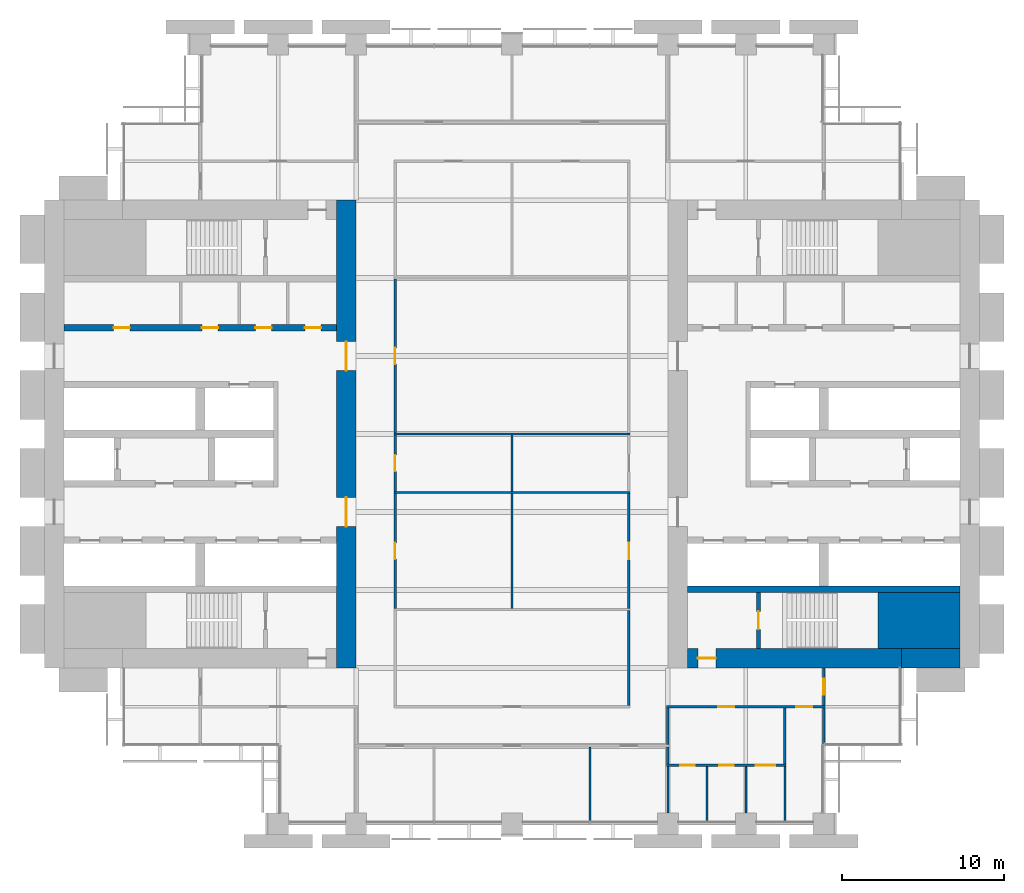
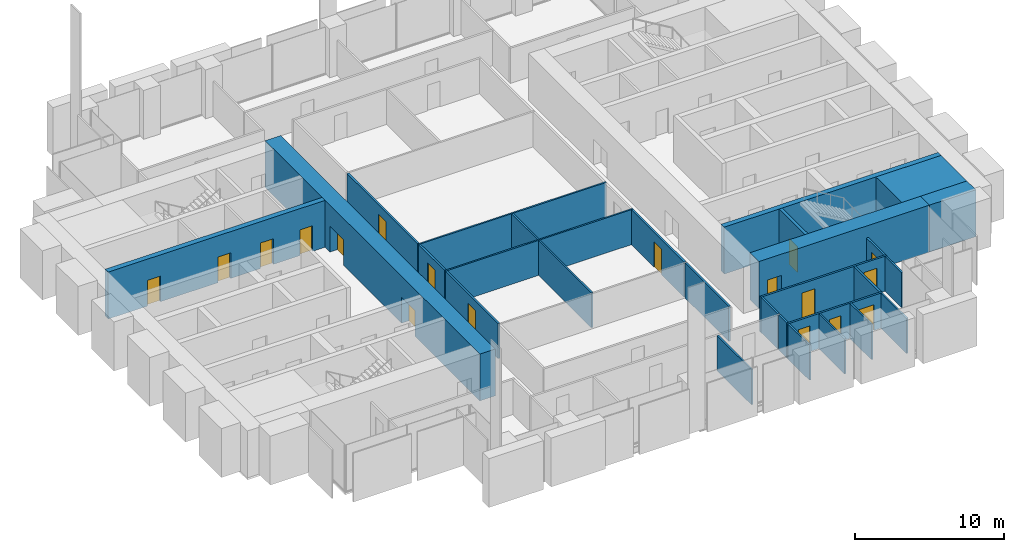
# One storey, part 10 of 14: 28 walls, 18 doors, 18 openings.
"""IFC4 building model written with IfcOpenShell, lengths in metres."""

from ifc_helpers import new_model, si_unit, direction, frame, frame_2d, origin, place, context, subcontext, project, spatial, rectangle, extrude, material, layer, layer_set, type_object, element, fill, save


model = new_model("IFC4")

# Units and contexts
model_context = context("Model", 3, precision=1e-05, world=origin(), true_north=direction((0.0, 1.0)))
body_context = subcontext(model_context, "Body", "Model", "MODEL_VIEW")
ifc_project = project(units=[si_unit("LENGTHUNIT", "METRE"), si_unit("AREAUNIT", "SQUARE_METRE"), si_unit("VOLUMEUNIT", "CUBIC_METRE"), si_unit("PLANEANGLEUNIT", "RADIAN"), si_unit("MASSUNIT", "GRAM", prefix="KILO")], contexts=[model_context])

# Site, building, storey
site_placement = place(None, origin())
site = spatial("IfcSite", under=ifc_project, at=site_placement, CompositionType="ELEMENT")
building_placement = place(site_placement, origin())
building = spatial("IfcBuilding", under=site, at=building_placement, Name="Baori Bourse Tower", CompositionType="ELEMENT")
storey_placement = place(building_placement, frame((0.0, 0.0, 51.0)))
storey = spatial("IfcBuildingStorey", under=building, at=storey_placement, Name="L10", CompositionType="ELEMENT", Elevation=51.0)

# Wall
ifc_material_1 = material(Name="Concrete f'c 70 MPa", Category="concrete")
wall_type_1 = type_object("IfcWallType", Name="Core corner block f'c 70", PredefinedType="SHEAR", material=ifc_material_1)
wall_1_placement = place(storey_placement, frame((51.35009765625, 12.52490234375, 0.0), z_axis=(0.0, 0.0, 1.0), x_axis=(1.0, 0.0, 0.0)))
element("IfcWall", 1, at=wall_1_placement, inside=storey, type_object=wall_type_1, Name="Core wall E05", PredefinedType="SHEAR", context=body_context, shape_type="SweptSolid", body=[
    extrude(rectangle(XDim=5.0498046875, YDim=3.449951171875, at=frame_2d((2.52490234375, 0.0))), origin(), (0.0, 0.0, 1.0), 3.840087890625),
])

# Wall, openings, doors
ifc_material_2 = material(Name="Concrete f'c 70 MPa", Category="concrete")
ifc_layer_1 = layer(ifc_material_2, 1.199951171875)
ifc_layer_set_1 = layer_set([ifc_layer_1], Name="Core wall 1200 f'c 70")
wall_type_2 = type_object("IfcWallType", Name="Core wall 1200 f'c 70", PredefinedType="SHEAR", material=ifc_layer_set_1)
wall_2_placement = place(storey_placement, frame((18.60009765625, 38.39990234375, 0.0), z_axis=(0.0, 0.0, 1.0), x_axis=(0.0, -1.0, 0.0)))
wall_2 = element("IfcWall", 2, at=wall_2_placement, inside=storey, type_object=wall_type_2, Name="Core wall W04", PredefinedType="SHEAR", context=body_context, shape_type="SweptSolid", body=[
    extrude(rectangle(XDim=28.7998046875, YDim=1.199951171875, at=frame_2d((14.39990234375, 0.0))), origin(), (0.0, 0.0, 1.0), 3.840087890625),
])
opening_1_placement = place(wall_2_placement, frame((18.300048828125, 0.0, 0.0)))
opening_1 = element("IfcOpeningElement", 3, at=opening_1_placement, cuts=wall_2, Name="Opening L10-D107", PredefinedType="OPENING", context=body_context, shape_type="SweptSolid", body=[
    extrude(rectangle(XDim=1.800048828125, YDim=2.10009765625, at=frame_2d((0.89990234375, 1.050048828125))), frame((0.0, 0.60986328125, 0.0), z_axis=(0.0, -1.0, 0.0), x_axis=(1.0, 0.0, 0.0)), (0.0, 0.0, 1.0), 1.219970703125),
])
opening_2_placement = place(wall_2_placement, frame((8.699951171875, 0.0, 0.0)))
opening_2 = element("IfcOpeningElement", 4, at=opening_2_placement, cuts=wall_2, Name="Opening L10-D108", PredefinedType="OPENING", context=body_context, shape_type="SweptSolid", body=[
    extrude(rectangle(XDim=1.800048828125, YDim=2.10009765625, at=frame_2d((0.89990234375, 1.050048828125))), frame((0.0, 0.60986328125, 0.0), z_axis=(0.0, -1.0, 0.0), x_axis=(1.0, 0.0, 0.0)), (0.0, 0.0, 1.0), 1.219970703125),
])
ifc_material_3 = material(Name="Painted steel door", Category="steel")
door_type_1 = type_object("IfcDoorType", Name="Core lobby door 1800", OperationType="DOUBLE_DOOR_SINGLE_SWING", PredefinedType="DOOR", material=ifc_material_3)
door_1_placement = place(opening_1_placement, origin())
door_1 = element("IfcDoor", 5, at=door_1_placement, inside=storey, type_object=door_type_1, Name="Lobby door W L10", OperationType="DOUBLE_DOOR_SINGLE_SWING", OverallHeight=2.10009765625, OverallWidth=1.800048828125, PredefinedType="DOOR", context=body_context, shape_type="SweptSolid", body=[
    extrude(rectangle(XDim=1.800048828125, YDim=2.10009765625, at=frame_2d((0.89990234375, 1.050048828125))), frame((0.0, 0.02490234375, 0.0), z_axis=(0.0, -1.0, 0.0), x_axis=(1.0, 0.0, 0.0)), (0.0, 0.0, 1.0), 0.050048828125),
])
fill(opening_1, door_1)
door_2_placement = place(opening_2_placement, origin())
door_2 = element("IfcDoor", 6, at=door_2_placement, inside=storey, type_object=door_type_1, Name="Lobby door W L10", OperationType="DOUBLE_DOOR_SINGLE_SWING", OverallHeight=2.10009765625, OverallWidth=1.800048828125, PredefinedType="DOOR", context=body_context, shape_type="SweptSolid", body=[
    extrude(rectangle(XDim=1.800048828125, YDim=2.10009765625, at=frame_2d((0.89990234375, 1.050048828125))), frame((0.0, 0.02490234375, 0.0), z_axis=(0.0, -1.0, 0.0), x_axis=(1.0, 0.0, 0.0)), (0.0, 0.0, 1.0), 0.050048828125),
])
fill(opening_2, door_2)

# Wall
wall_3_placement = place(storey_placement, frame((56.39990234375, 10.199951171875, 0.0), z_axis=(0.0, 0.0, 1.0), x_axis=(-1.0, 0.0, 0.0)))
element("IfcWall", 7, at=wall_3_placement, inside=storey, type_object=wall_type_2, Name="Core wall E02", PredefinedType="SHEAR", context=body_context, shape_type="SweptSolid", body=[
    extrude(rectangle(XDim=3.599853515625, YDim=1.199951171875, at=frame_2d((1.7998046875, 0.0))), origin(), (0.0, 0.0, 1.0), 3.840087890625),
])

# Wall, opening, door
wall_4_placement = place(storey_placement, frame((52.800048828125, 10.199951171875, 0.0), z_axis=(0.0, 0.0, 1.0), x_axis=(-1.0, 0.0, 0.0)))
wall_4 = element("IfcWall", 8, at=wall_4_placement, inside=storey, type_object=wall_type_2, Name="Core wall E03", PredefinedType="SHEAR", context=body_context, shape_type="SweptSolid", body=[
    extrude(rectangle(XDim=13.199951171875, YDim=1.199951171875, at=frame_2d((6.60009765625, 0.0))), origin(), (0.0, 0.0, 1.0), 3.840087890625),
])
opening_3_placement = place(wall_4_placement, frame((11.449951171875, 0.0, 0.0)))
opening_3 = element("IfcOpeningElement", 9, at=opening_3_placement, cuts=wall_4, Name="Opening L10-D202", PredefinedType="OPENING", context=body_context, shape_type="SweptSolid", body=[
    extrude(rectangle(XDim=1.10009765625, YDim=2.10009765625, at=frame_2d((0.550048828125, 1.050048828125))), frame((0.0, 0.60986328125, 0.0), z_axis=(0.0, -1.0, 0.0), x_axis=(1.0, 0.0, 0.0)), (0.0, 0.0, 1.0), 1.219970703125),
])
ifc_material_4 = material(Name="Painted steel door", Category="steel")
door_type_2 = type_object("IfcDoorType", Name="Stair door 1100", OperationType="SINGLE_SWING_LEFT", PredefinedType="DOOR", material=ifc_material_4)
door_3_placement = place(opening_3_placement, origin())
door_3 = element("IfcDoor", 10, at=door_3_placement, inside=storey, type_object=door_type_2, Name="Stair vestibule door A E L10", OperationType="SINGLE_SWING_LEFT", OverallHeight=2.10009765625, OverallWidth=1.10009765625, PredefinedType="DOOR", context=body_context, shape_type="SweptSolid", body=[
    extrude(rectangle(XDim=1.10009765625, YDim=2.10009765625, at=frame_2d((0.550048828125, 1.050048828125))), frame((0.0, 0.02490234375, 0.0), z_axis=(0.0, -1.0, 0.0), x_axis=(1.0, 0.0, 0.0)), (0.0, 0.0, 1.0), 0.050048828125),
])
fill(opening_3, door_3)

# Wall, openings, doors
ifc_material_5 = material(Name="Gypsum board partition")
ifc_layer_2 = layer(ifc_material_5, 0.14990234375)
ifc_layer_set_2 = layer_set([ifc_layer_2], Name="Corridor partition 150")
wall_type_3 = type_object("IfcWallType", Name="Corridor partition 150", PredefinedType="PARTITIONING", material=ifc_layer_set_2)
wall_5_placement = place(storey_placement, frame((38.324951171875, 3.60009765625, 0.0), z_axis=(0.0, 0.0, 1.0), x_axis=(1.0, 0.0, 0.0)))
wall_5 = element("IfcWall", 11, at=wall_5_placement, inside=storey, type_object=wall_type_3, Name="Partition", PredefinedType="PARTITIONING", context=body_context, shape_type="SweptSolid", body=[
    extrude(rectangle(XDim=7.35009765625, YDim=0.14990234375, at=frame_2d((3.675048828125, 0.0))), origin(), (0.0, 0.0, 1.0), 2.86962890625),
])
opening_4_placement = place(wall_5_placement, frame((0.824951171875, 0.0, 0.0)))
opening_4 = element("IfcOpeningElement", 12, at=opening_4_placement, cuts=wall_5, Name="Opening L10-D01", PredefinedType="OPENING", context=body_context, shape_type="SweptSolid", body=[
    extrude(rectangle(XDim=0.89990234375, YDim=2.10009765625, at=frame_2d((0.449951171875, 1.050048828125))), frame((0.0, 0.0849609375, 0.0), z_axis=(0.0, -1.0, 0.0), x_axis=(1.0, 0.0, 0.0)), (0.0, 0.0, 1.0), 0.169921875),
])
opening_5_placement = place(wall_5_placement, frame((3.22509765625, 0.0, 0.0)))
opening_5 = element("IfcOpeningElement", 13, at=opening_5_placement, cuts=wall_5, Name="Opening L10-D02", PredefinedType="OPENING", context=body_context, shape_type="SweptSolid", body=[
    extrude(rectangle(XDim=0.89990234375, YDim=2.10009765625, at=frame_2d((0.449951171875, 1.050048828125))), frame((0.0, 0.0849609375, 0.0), z_axis=(0.0, -1.0, 0.0), x_axis=(1.0, 0.0, 0.0)), (0.0, 0.0, 1.0), 0.169921875),
])
opening_6_placement = place(wall_5_placement, frame((5.47509765625, 0.0, 0.0)))
opening_6 = element("IfcOpeningElement", 14, at=opening_6_placement, cuts=wall_5, Name="Opening L10-D03", PredefinedType="OPENING", context=body_context, shape_type="SweptSolid", body=[
    extrude(rectangle(XDim=1.199951171875, YDim=2.10009765625, at=frame_2d((0.60009765625, 1.050048828125))), frame((0.0, 0.0849609375, 0.0), z_axis=(0.0, -1.0, 0.0), x_axis=(1.0, 0.0, 0.0)), (0.0, 0.0, 1.0), 0.169921875),
])
ifc_material_6 = material(Name="Timber door leaf", Category="wood")
door_type_3 = type_object("IfcDoorType", Name="Door 1200 x 2100", OperationType="SINGLE_SWING_LEFT", PredefinedType="DOOR", material=ifc_material_6)
door_4_placement = place(opening_6_placement, origin())
door_4 = element("IfcDoor", 15, at=door_4_placement, inside=storey, type_object=door_type_3, Name="Door", OperationType="SINGLE_SWING_RIGHT", OverallHeight=2.10009765625, OverallWidth=1.199951171875, PredefinedType="DOOR", context=body_context, shape_type="SweptSolid", body=[
    extrude(rectangle(XDim=1.199951171875, YDim=2.10009765625, at=frame_2d((0.60009765625, 1.050048828125))), frame((0.0, 0.02490234375, 0.0), z_axis=(0.0, -1.0, 0.0), x_axis=(1.0, 0.0, 0.0)), (0.0, 0.0, 1.0), 0.050048828125),
])
fill(opening_6, door_4)
ifc_material_7 = material(Name="Timber door leaf", Category="wood")
door_type_4 = type_object("IfcDoorType", Name="Door 900 x 2100", OperationType="SINGLE_SWING_LEFT", PredefinedType="DOOR", material=ifc_material_7)
door_5_placement = place(opening_4_placement, origin())
door_5 = element("IfcDoor", 16, at=door_5_placement, inside=storey, type_object=door_type_4, Name="Door", OperationType="SINGLE_SWING_LEFT", OverallHeight=2.10009765625, OverallWidth=0.89990234375, PredefinedType="DOOR", context=body_context, shape_type="SweptSolid", body=[
    extrude(rectangle(XDim=0.89990234375, YDim=2.10009765625, at=frame_2d((0.449951171875, 1.050048828125))), frame((0.0, 0.02490234375, 0.0), z_axis=(0.0, -1.0, 0.0), x_axis=(1.0, 0.0, 0.0)), (0.0, 0.0, 1.0), 0.050048828125),
])
fill(opening_4, door_5)
door_6_placement = place(opening_5_placement, origin())
door_6 = element("IfcDoor", 17, at=door_6_placement, inside=storey, type_object=door_type_4, Name="Door", OperationType="SINGLE_SWING_LEFT", OverallHeight=2.10009765625, OverallWidth=0.89990234375, PredefinedType="DOOR", context=body_context, shape_type="SweptSolid", body=[
    extrude(rectangle(XDim=0.89990234375, YDim=2.10009765625, at=frame_2d((0.449951171875, 1.050048828125))), frame((0.0, 0.02490234375, 0.0), z_axis=(0.0, -1.0, 0.0), x_axis=(1.0, 0.0, 0.0)), (0.0, 0.0, 1.0), 0.050048828125),
])
fill(opening_5, door_6)

wall_6_placement = place(storey_placement, frame((38.324951171875, 7.199951171875, 0.0), z_axis=(0.0, 0.0, 1.0), x_axis=(1.0, 0.0, 0.0)))
wall_6 = element("IfcWall", 18, at=wall_6_placement, inside=storey, type_object=wall_type_3, Name="Partition", PredefinedType="PARTITIONING", context=body_context, shape_type="SweptSolid", body=[
    extrude(rectangle(XDim=9.75, YDim=0.14990234375, at=frame_2d((4.875, 0.0))), origin(), (0.0, 0.0, 1.0), 2.86962890625),
])
opening_7_placement = place(wall_6_placement, frame((3.175048828125, 0.0, 0.0)))
opening_7 = element("IfcOpeningElement", 19, at=opening_7_placement, cuts=wall_6, Name="Opening L10-D09", PredefinedType="OPENING", context=body_context, shape_type="SweptSolid", body=[
    extrude(rectangle(XDim=1.0, YDim=2.10009765625, at=frame_2d((0.5, 1.050048828125))), frame((0.0, 0.0849609375, 0.0), z_axis=(0.0, -1.0, 0.0), x_axis=(1.0, 0.0, 0.0)), (0.0, 0.0, 1.0), 0.169921875),
])
opening_8_placement = place(wall_6_placement, frame((7.97509765625, 0.0, 0.0)))
opening_8 = element("IfcOpeningElement", 20, at=opening_8_placement, cuts=wall_6, Name="Opening L10-D10", PredefinedType="OPENING", context=body_context, shape_type="SweptSolid", body=[
    extrude(rectangle(XDim=1.0, YDim=2.10009765625, at=frame_2d((0.5, 1.050048828125))), frame((0.0, 0.0849609375, 0.0), z_axis=(0.0, -1.0, 0.0), x_axis=(1.0, 0.0, 0.0)), (0.0, 0.0, 1.0), 0.169921875),
])
ifc_material_8 = material(Name="Timber door leaf", Category="wood")
door_type_5 = type_object("IfcDoorType", Name="Door 1000 x 2100", OperationType="SINGLE_SWING_LEFT", PredefinedType="DOOR", material=ifc_material_8)
door_7_placement = place(opening_7_placement, origin())
door_7 = element("IfcDoor", 21, at=door_7_placement, inside=storey, type_object=door_type_5, Name="Door", OperationType="SINGLE_SWING_RIGHT", OverallHeight=2.10009765625, OverallWidth=1.0, PredefinedType="DOOR", context=body_context, shape_type="SweptSolid", body=[
    extrude(rectangle(XDim=1.0, YDim=2.10009765625, at=frame_2d((0.5, 1.050048828125))), frame((0.0, 0.02490234375, 0.0), z_axis=(0.0, -1.0, 0.0), x_axis=(1.0, 0.0, 0.0)), (0.0, 0.0, 1.0), 0.050048828125),
])
fill(opening_7, door_7)
door_8_placement = place(opening_8_placement, origin())
door_8 = element("IfcDoor", 22, at=door_8_placement, inside=storey, type_object=door_type_5, Name="Door", OperationType="SINGLE_SWING_RIGHT", OverallHeight=2.10009765625, OverallWidth=1.0, PredefinedType="DOOR", context=body_context, shape_type="SweptSolid", body=[
    extrude(rectangle(XDim=1.0, YDim=2.10009765625, at=frame_2d((0.5, 1.050048828125))), frame((0.0, 0.02490234375, 0.0), z_axis=(0.0, -1.0, 0.0), x_axis=(1.0, 0.0, 0.0)), (0.0, 0.0, 1.0), 0.050048828125),
])
fill(opening_8, door_8)

# Wall, opening, door
wall_7_placement = place(storey_placement, frame((21.60009765625, 13.262451171875, 0.0), z_axis=(0.0, 0.0, 1.0), x_axis=(0.0, 1.0, 0.0)))
wall_7 = element("IfcWall", 23, at=wall_7_placement, inside=storey, type_object=wall_type_3, Name="Partition", PredefinedType="PARTITIONING", context=body_context, shape_type="SweptSolid", body=[
    extrude(rectangle(XDim=7.074951171875, YDim=0.14990234375, at=frame_2d((3.53759765625, 0.0))), origin(), (0.0, 0.0, 1.0), 2.86962890625),
])
opening_9_placement = place(wall_7_placement, frame((3.03759765625, 0.0, 0.0)))
opening_9 = element("IfcOpeningElement", 24, at=opening_9_placement, cuts=wall_7, Name="Opening L10-D19", PredefinedType="OPENING", context=body_context, shape_type="SweptSolid", body=[
    extrude(rectangle(XDim=1.0, YDim=2.10009765625, at=frame_2d((0.5, 1.050048828125))), frame((0.0, 0.0849609375, 0.0), z_axis=(0.0, -1.0, 0.0), x_axis=(1.0, 0.0, 0.0)), (0.0, 0.0, 1.0), 0.169921875),
])
door_9_placement = place(opening_9_placement, origin())
door_9 = element("IfcDoor", 25, at=door_9_placement, inside=storey, type_object=door_type_5, Name="Door", OperationType="SINGLE_SWING_RIGHT", OverallHeight=2.10009765625, OverallWidth=1.0, PredefinedType="DOOR", context=body_context, shape_type="SweptSolid", body=[
    extrude(rectangle(XDim=1.0, YDim=2.10009765625, at=frame_2d((0.5, 1.050048828125))), frame((0.0, 0.02490234375, 0.0), z_axis=(0.0, -1.0, 0.0), x_axis=(1.0, 0.0, 0.0)), (0.0, 0.0, 1.0), 0.050048828125),
])
fill(opening_9, door_9)

wall_8_placement = place(storey_placement, frame((21.60009765625, 20.46240234375, 0.0), z_axis=(0.0, 0.0, 1.0), x_axis=(0.0, 1.0, 0.0)))
wall_8 = element("IfcWall", 26, at=wall_8_placement, inside=storey, type_object=wall_type_3, Name="Partition", PredefinedType="PARTITIONING", context=body_context, shape_type="SweptSolid", body=[
    extrude(rectangle(XDim=3.47509765625, YDim=0.14990234375, at=frame_2d((1.737548828125, 0.0))), origin(), (0.0, 0.0, 1.0), 2.86962890625),
])
opening_10_placement = place(wall_8_placement, frame((1.237548828125, 0.0, 0.0)))
opening_10 = element("IfcOpeningElement", 27, at=opening_10_placement, cuts=wall_8, Name="Opening L10-D20", PredefinedType="OPENING", context=body_context, shape_type="SweptSolid", body=[
    extrude(rectangle(XDim=1.0, YDim=2.10009765625, at=frame_2d((0.5, 1.050048828125))), frame((0.0, 0.0849609375, 0.0), z_axis=(0.0, -1.0, 0.0), x_axis=(1.0, 0.0, 0.0)), (0.0, 0.0, 1.0), 0.169921875),
])
door_10_placement = place(opening_10_placement, origin())
door_10 = element("IfcDoor", 28, at=door_10_placement, inside=storey, type_object=door_type_5, Name="Door", OperationType="SINGLE_SWING_LEFT", OverallHeight=2.10009765625, OverallWidth=1.0, PredefinedType="DOOR", context=body_context, shape_type="SweptSolid", body=[
    extrude(rectangle(XDim=1.0, YDim=2.10009765625, at=frame_2d((0.5, 1.050048828125))), frame((0.0, 0.02490234375, 0.0), z_axis=(0.0, -1.0, 0.0), x_axis=(1.0, 0.0, 0.0)), (0.0, 0.0, 1.0), 0.050048828125),
])
fill(opening_10, door_10)

wall_9_placement = place(storey_placement, frame((21.60009765625, 24.0625, 0.0), z_axis=(0.0, 0.0, 1.0), x_axis=(0.0, 1.0, 0.0)))
wall_9 = element("IfcWall", 29, at=wall_9_placement, inside=storey, type_object=wall_type_3, Name="Partition", PredefinedType="PARTITIONING", context=body_context, shape_type="SweptSolid", body=[
    extrude(rectangle(XDim=9.47509765625, YDim=0.14990234375, at=frame_2d((4.737548828125, 0.0))), origin(), (0.0, 0.0, 1.0), 2.86962890625),
])
opening_11_placement = place(wall_9_placement, frame((4.237548828125, 0.0, 0.0)))
opening_11 = element("IfcOpeningElement", 30, at=opening_11_placement, cuts=wall_9, Name="Opening L10-D21", PredefinedType="OPENING", context=body_context, shape_type="SweptSolid", body=[
    extrude(rectangle(XDim=1.0, YDim=2.10009765625, at=frame_2d((0.5, 1.050048828125))), frame((0.0, 0.0849609375, 0.0), z_axis=(0.0, -1.0, 0.0), x_axis=(1.0, 0.0, 0.0)), (0.0, 0.0, 1.0), 0.169921875),
])
door_11_placement = place(opening_11_placement, origin())
door_11 = element("IfcDoor", 31, at=door_11_placement, inside=storey, type_object=door_type_5, Name="Door", OperationType="SINGLE_SWING_LEFT", OverallHeight=2.10009765625, OverallWidth=1.0, PredefinedType="DOOR", context=body_context, shape_type="SweptSolid", body=[
    extrude(rectangle(XDim=1.0, YDim=2.10009765625, at=frame_2d((0.5, 1.050048828125))), frame((0.0, 0.02490234375, 0.0), z_axis=(0.0, -1.0, 0.0), x_axis=(1.0, 0.0, 0.0)), (0.0, 0.0, 1.0), 0.050048828125),
])
fill(opening_11, door_11)

# Wall
wall_10_placement = place(storey_placement, frame((36.0, 7.27490234375, 0.0), z_axis=(0.0, 0.0, 1.0), x_axis=(0.0, 1.0, 0.0)))
element("IfcWall", 32, at=wall_10_placement, inside=storey, type_object=wall_type_3, Name="Partition", PredefinedType="PARTITIONING", context=body_context, shape_type="SweptSolid", body=[
    extrude(rectangle(XDim=5.862548828125, YDim=0.14990234375, at=frame_2d((2.93115234375, 0.0))), origin(), (0.0, 0.0, 1.0), 2.86962890625),
])

# Wall, opening, door
wall_11_placement = place(storey_placement, frame((36.0, 13.262451171875, 0.0), z_axis=(0.0, 0.0, 1.0), x_axis=(0.0, 1.0, 0.0)))
wall_11 = element("IfcWall", 33, at=wall_11_placement, inside=storey, type_object=wall_type_3, Name="Partition", PredefinedType="PARTITIONING", context=body_context, shape_type="SweptSolid", body=[
    extrude(rectangle(XDim=7.074951171875, YDim=0.14990234375, at=frame_2d((3.53759765625, 0.0))), origin(), (0.0, 0.0, 1.0), 2.86962890625),
])
opening_12_placement = place(wall_11_placement, frame((3.03759765625, 0.0, 0.0)))
opening_12 = element("IfcOpeningElement", 34, at=opening_12_placement, cuts=wall_11, Name="Opening L10-D22", PredefinedType="OPENING", context=body_context, shape_type="SweptSolid", body=[
    extrude(rectangle(XDim=1.0, YDim=2.10009765625, at=frame_2d((0.5, 1.050048828125))), frame((0.0, 0.0849609375, 0.0), z_axis=(0.0, -1.0, 0.0), x_axis=(1.0, 0.0, 0.0)), (0.0, 0.0, 1.0), 0.169921875),
])
door_12_placement = place(opening_12_placement, origin())
door_12 = element("IfcDoor", 35, at=door_12_placement, inside=storey, type_object=door_type_5, Name="Door", OperationType="SINGLE_SWING_LEFT", OverallHeight=2.10009765625, OverallWidth=1.0, PredefinedType="DOOR", context=body_context, shape_type="SweptSolid", body=[
    extrude(rectangle(XDim=1.0, YDim=2.10009765625, at=frame_2d((0.5, 1.050048828125))), frame((0.0, 0.02490234375, 0.0), z_axis=(0.0, -1.0, 0.0), x_axis=(1.0, 0.0, 0.0)), (0.0, 0.0, 1.0), 0.050048828125),
])
fill(opening_12, door_12)

# Walls
wall_12_placement = place(storey_placement, frame((38.39990234375, 3.675048828125, 0.0), z_axis=(0.0, 0.0, 1.0), x_axis=(0.0, 1.0, 0.0)))
element("IfcWall", 36, at=wall_12_placement, inside=storey, type_object=wall_type_3, Name="Partition", PredefinedType="PARTITIONING", context=body_context, shape_type="SweptSolid", body=[
    extrude(rectangle(XDim=1.050048828125, YDim=0.14990234375, at=frame_2d((0.52490234375, 0.0))), origin(), (0.0, 0.0, 1.0), 2.86962890625),
])
wall_13_placement = place(storey_placement, frame((38.39990234375, 4.875, 0.0), z_axis=(0.0, 0.0, 1.0), x_axis=(0.0, 1.0, 0.0)))
element("IfcWall", 37, at=wall_13_placement, inside=storey, type_object=wall_type_3, Name="Partition", PredefinedType="PARTITIONING", context=body_context, shape_type="SweptSolid", body=[
    extrude(rectangle(XDim=2.25, YDim=0.14990234375, at=frame_2d((1.125, 0.0))), origin(), (0.0, 0.0, 1.0), 2.86962890625),
])
wall_14_placement = place(storey_placement, frame((45.60009765625, 3.675048828125, 0.0), z_axis=(0.0, 0.0, 1.0), x_axis=(0.0, 1.0, 0.0)))
element("IfcWall", 38, at=wall_14_placement, inside=storey, type_object=wall_type_3, Name="Partition", PredefinedType="PARTITIONING", context=body_context, shape_type="SweptSolid", body=[
    extrude(rectangle(XDim=3.449951171875, YDim=0.14990234375, at=frame_2d((1.72509765625, 0.0))), origin(), (0.0, 0.0, 1.0), 2.86962890625),
])

# Wall, opening, door
wall_15_placement = place(storey_placement, frame((48.0, 7.27490234375, 0.0), z_axis=(0.0, 0.0, 1.0), x_axis=(0.0, 1.0, 0.0)))
wall_15 = element("IfcWall", 39, at=wall_15_placement, inside=storey, type_object=wall_type_3, Name="Partition", PredefinedType="PARTITIONING", context=body_context, shape_type="SweptSolid", body=[
    extrude(rectangle(XDim=2.3251953125, YDim=0.14990234375, at=frame_2d((1.16259765625, 0.0))), origin(), (0.0, 0.0, 1.0), 2.86962890625),
])
opening_13_placement = place(wall_15_placement, frame((0.66259765625, 0.0, 0.0)))
opening_13 = element("IfcOpeningElement", 40, at=opening_13_placement, cuts=wall_15, Name="Opening L10-D24", PredefinedType="OPENING", context=body_context, shape_type="SweptSolid", body=[
    extrude(rectangle(XDim=1.0, YDim=2.10009765625, at=frame_2d((0.5, 1.050048828125))), frame((0.0, 0.0849609375, 0.0), z_axis=(0.0, -1.0, 0.0), x_axis=(1.0, 0.0, 0.0)), (0.0, 0.0, 1.0), 0.169921875),
])
door_13_placement = place(opening_13_placement, origin())
door_13 = element("IfcDoor", 41, at=door_13_placement, inside=storey, type_object=door_type_5, Name="Door", OperationType="SINGLE_SWING_LEFT", OverallHeight=2.10009765625, OverallWidth=1.0, PredefinedType="DOOR", context=body_context, shape_type="SweptSolid", body=[
    extrude(rectangle(XDim=1.0, YDim=2.10009765625, at=frame_2d((0.5, 1.050048828125))), frame((0.0, 0.02490234375, 0.0), z_axis=(0.0, -1.0, 0.0), x_axis=(1.0, 0.0, 0.0)), (0.0, 0.0, 1.0), 0.050048828125),
])
fill(opening_13, door_13)

# Walls
ifc_material_9 = material(Name="Gypsum board partition")
ifc_layer_3 = layer(ifc_material_9, 0.125)
ifc_layer_set_3 = layer_set([ifc_layer_3], Name="Partition 125")
wall_type_4 = type_object("IfcWallType", Name="Partition 125", PredefinedType="PARTITIONING", material=ifc_layer_set_3)
for number, where, z_axis, x_axis, name in (
    (42, (21.52490234375, 20.39990234375, 0.0), (0.0, 0.0, 1.0), (1.0, 0.0, 0.0), "Partition"),
    (43, (21.52490234375, 24.0, 0.0), (0.0, 0.0, 1.0), (1.0, 0.0, 0.0), "Partition"),
):
    element("IfcWall", number, at=place(storey_placement, frame(where, z_axis=z_axis, x_axis=x_axis)), inside=storey, type_object=wall_type_4, Name=name, PredefinedType="PARTITIONING", context=body_context, shape_type="SweptSolid", body=[
        extrude(rectangle(XDim=14.550048828125, YDim=0.125, at=frame_2d((7.27490234375, 0.0))), origin(), (0.0, 0.0, 1.0), 2.86962890625),
    ])
wall_16_placement = place(storey_placement, frame((28.800048828125, 13.262451171875, 0.0), z_axis=(0.0, 0.0, 1.0), x_axis=(0.0, 1.0, 0.0)))
element("IfcWall", 44, at=wall_16_placement, inside=storey, type_object=wall_type_4, Name="Partition", PredefinedType="PARTITIONING", context=body_context, shape_type="SweptSolid", body=[
    extrude(rectangle(XDim=7.074951171875, YDim=0.125, at=frame_2d((3.53759765625, 0.0))), origin(), (0.0, 0.0, 1.0), 2.86962890625),
])
wall_17_placement = place(storey_placement, frame((28.800048828125, 20.46240234375, 0.0), z_axis=(0.0, 0.0, 1.0), x_axis=(0.0, 1.0, 0.0)))
element("IfcWall", 45, at=wall_17_placement, inside=storey, type_object=wall_type_4, Name="Partition", PredefinedType="PARTITIONING", context=body_context, shape_type="SweptSolid", body=[
    extrude(rectangle(XDim=3.47509765625, YDim=0.125, at=frame_2d((1.737548828125, 0.0))), origin(), (0.0, 0.0, 1.0), 2.86962890625),
])
wall_18_placement = place(storey_placement, frame((33.60009765625, 0.10009765625, 0.0), z_axis=(0.0, 0.0, 1.0), x_axis=(0.0, 1.0, 0.0)))
element("IfcWall", 46, at=wall_18_placement, inside=storey, type_object=wall_type_4, Name="Partition", PredefinedType="PARTITIONING", context=body_context, shape_type="SweptSolid", body=[
    extrude(rectangle(XDim=4.625, YDim=0.125, at=frame_2d((2.3125, 0.0))), origin(), (0.0, 0.0, 1.0), 2.86962890625),
])
wall_19_placement = place(storey_placement, frame((38.39990234375, 0.64990234375, 0.0), z_axis=(0.0, 0.0, 1.0), x_axis=(0.0, 1.0, 0.0)))
element("IfcWall", 47, at=wall_19_placement, inside=storey, type_object=wall_type_4, Name="Partition", PredefinedType="PARTITIONING", context=body_context, shape_type="SweptSolid", body=[
    extrude(rectangle(XDim=2.875, YDim=0.125, at=frame_2d((1.4375, 0.0))), origin(), (0.0, 0.0, 1.0), 2.86962890625),
])
wall_20_placement = place(storey_placement, frame((40.800048828125, 0.10009765625, 0.0), z_axis=(0.0, 0.0, 1.0), x_axis=(0.0, 1.0, 0.0)))
element("IfcWall", 48, at=wall_20_placement, inside=storey, type_object=wall_type_4, Name="Partition", PredefinedType="PARTITIONING", context=body_context, shape_type="SweptSolid", body=[
    extrude(rectangle(XDim=3.4248046875, YDim=0.125, at=frame_2d((1.71240234375, 0.0))), origin(), (0.0, 0.0, 1.0), 2.86962890625),
])
wall_21_placement = place(storey_placement, frame((43.199951171875, 0.64990234375, 0.0), z_axis=(0.0, 0.0, 1.0), x_axis=(0.0, 1.0, 0.0)))
element("IfcWall", 49, at=wall_21_placement, inside=storey, type_object=wall_type_4, Name="Partition", PredefinedType="PARTITIONING", context=body_context, shape_type="SweptSolid", body=[
    extrude(rectangle(XDim=2.875, YDim=0.125, at=frame_2d((1.4375, 0.0))), origin(), (0.0, 0.0, 1.0), 2.86962890625),
])
wall_22_placement = place(storey_placement, frame((45.60009765625, 0.10009765625, 0.0), z_axis=(0.0, 0.0, 1.0), x_axis=(0.0, 1.0, 0.0)))
element("IfcWall", 50, at=wall_22_placement, inside=storey, type_object=wall_type_4, Name="Partition", PredefinedType="PARTITIONING", context=body_context, shape_type="SweptSolid", body=[
    extrude(rectangle(XDim=3.4248046875, YDim=0.125, at=frame_2d((1.71240234375, 0.0))), origin(), (0.0, 0.0, 1.0), 2.86962890625),
])
wall_23_placement = place(storey_placement, frame((48.0, 4.89990234375, 0.0), z_axis=(0.0, 0.0, 1.0), x_axis=(0.0, 1.0, 0.0)))
element("IfcWall", 51, at=wall_23_placement, inside=storey, type_object=wall_type_4, Name="Partition", PredefinedType="PARTITIONING", context=body_context, shape_type="SweptSolid", body=[
    extrude(rectangle(XDim=2.22509765625, YDim=0.125, at=frame_2d((1.112548828125, 0.0))), origin(), (0.0, 0.0, 1.0), 2.86962890625),
])

# Wall, opening, door
ifc_material_10 = material(Name="Concrete f'c 70 MPa", Category="concrete")
ifc_layer_4 = layer(ifc_material_10, 0.25)
ifc_layer_set_4 = layer_set([ifc_layer_4], Name="Shaft wall 250 f'c 70")
wall_type_5 = type_object("IfcWallType", Name="Shaft wall 250 f'c 70", PredefinedType="SHEAR", material=ifc_layer_set_4)
wall_24_placement = place(storey_placement, frame((43.97509765625, 10.800048828125, 0.0), z_axis=(0.0, 0.0, 1.0), x_axis=(0.0, 1.0, 0.0)))
wall_24 = element("IfcWall", 52, at=wall_24_placement, inside=storey, type_object=wall_type_5, Name="Core wall E06", PredefinedType="SHEAR", context=body_context, shape_type="SweptSolid", body=[
    extrude(rectangle(XDim=3.449951171875, YDim=0.25, at=frame_2d((1.72509765625, 0.0))), origin(), (0.0, 0.0, 1.0), 3.840087890625),
])
opening_14_placement = place(wall_24_placement, frame((1.175048828125, 0.0, 0.0)))
opening_14 = element("IfcOpeningElement", 53, at=opening_14_placement, cuts=wall_24, Name="Opening L10-D201", PredefinedType="OPENING", context=body_context, shape_type="SweptSolid", body=[
    extrude(rectangle(XDim=1.10009765625, YDim=2.10009765625, at=frame_2d((0.550048828125, 1.050048828125))), frame((0.0, 0.135009765625, 0.0), z_axis=(0.0, -1.0, 0.0), x_axis=(1.0, 0.0, 0.0)), (0.0, 0.0, 1.0), 0.27001953125),
])
door_14_placement = place(opening_14_placement, origin())
door_14 = element("IfcDoor", 54, at=door_14_placement, inside=storey, type_object=door_type_2, Name="Stair door A E L10", OperationType="SINGLE_SWING_LEFT", OverallHeight=2.10009765625, OverallWidth=1.10009765625, PredefinedType="DOOR", context=body_context, shape_type="SweptSolid", body=[
    extrude(rectangle(XDim=1.10009765625, YDim=2.10009765625, at=frame_2d((0.550048828125, 1.050048828125))), frame((0.0, 0.02490234375, 0.0), z_axis=(0.0, -1.0, 0.0), x_axis=(1.0, 0.0, 0.0)), (0.0, 0.0, 1.0), 0.050048828125),
])
fill(opening_14, door_14)

# Wall, openings, doors
ifc_material_11 = material(Name="Concrete f'c 70 MPa", Category="concrete")
ifc_layer_5 = layer(ifc_material_11, 0.39990234375)
ifc_layer_set_5 = layer_set([ifc_layer_5], Name="Shaft wall 400 f'c 70")
wall_type_6 = type_object("IfcWallType", Name="Shaft wall 400 f'c 70", PredefinedType="SHEAR", material=ifc_layer_set_5)
wall_25_placement = place(storey_placement, frame((1.199951171875, 30.550048828125, 0.0), z_axis=(0.0, 0.0, 1.0), x_axis=(1.0, 0.0, 0.0)))
wall_25 = element("IfcWall", 55, at=wall_25_placement, inside=storey, type_object=wall_type_6, Name="Core wall W17", PredefinedType="SHEAR", context=body_context, shape_type="SweptSolid", body=[
    extrude(rectangle(XDim=16.800048828125, YDim=0.39990234375, at=frame_2d((8.39990234375, 0.0))), origin(), (0.0, 0.0, 1.0), 3.840087890625),
])
opening_15_placement = place(wall_25_placement, frame((3.0625, 0.0, 0.0)))
opening_15 = element("IfcOpeningElement", 56, at=opening_15_placement, cuts=wall_25, Name="Opening L10-D109", PredefinedType="OPENING", context=body_context, shape_type="SweptSolid", body=[
    extrude(rectangle(XDim=1.0, YDim=2.10009765625, at=frame_2d((0.5, 1.050048828125))), frame((0.0, 0.2099609375, 0.0), z_axis=(0.0, -1.0, 0.0), x_axis=(1.0, 0.0, 0.0)), (0.0, 0.0, 1.0), 0.419921875),
])
opening_16_placement = place(wall_25_placement, frame((8.5, 0.0, 0.0)))
opening_16 = element("IfcOpeningElement", 57, at=opening_16_placement, cuts=wall_25, Name="Opening L10-D110", PredefinedType="OPENING", context=body_context, shape_type="SweptSolid", body=[
    extrude(rectangle(XDim=1.0, YDim=2.10009765625, at=frame_2d((0.5, 1.050048828125))), frame((0.0, 0.2099609375, 0.0), z_axis=(0.0, -1.0, 0.0), x_axis=(1.0, 0.0, 0.0)), (0.0, 0.0, 1.0), 0.419921875),
])
opening_17_placement = place(wall_25_placement, frame((11.800048828125, 0.0, 0.0)))
opening_17 = element("IfcOpeningElement", 58, at=opening_17_placement, cuts=wall_25, Name="Opening L10-D111", PredefinedType="OPENING", context=body_context, shape_type="SweptSolid", body=[
    extrude(rectangle(XDim=1.0, YDim=2.10009765625, at=frame_2d((0.5, 1.050048828125))), frame((0.0, 0.2099609375, 0.0), z_axis=(0.0, -1.0, 0.0), x_axis=(1.0, 0.0, 0.0)), (0.0, 0.0, 1.0), 0.419921875),
])
opening_18_placement = place(wall_25_placement, frame((14.83740234375, 0.0, 0.0)))
opening_18 = element("IfcOpeningElement", 59, at=opening_18_placement, cuts=wall_25, Name="Opening L10-D112", PredefinedType="OPENING", context=body_context, shape_type="SweptSolid", body=[
    extrude(rectangle(XDim=1.0, YDim=2.10009765625, at=frame_2d((0.5, 1.050048828125))), frame((0.0, 0.2099609375, 0.0), z_axis=(0.0, -1.0, 0.0), x_axis=(1.0, 0.0, 0.0)), (0.0, 0.0, 1.0), 0.419921875),
])
ifc_material_12 = material(Name="Painted steel door", Category="steel")
door_type_6 = type_object("IfcDoorType", Name="Core door 1000", OperationType="SINGLE_SWING_LEFT", PredefinedType="DOOR", material=ifc_material_12)
door_15_placement = place(opening_15_placement, origin())
door_15 = element("IfcDoor", 60, at=door_15_placement, inside=storey, type_object=door_type_6, Name="Men'S Wc door W L10", OperationType="SINGLE_SWING_LEFT", OverallHeight=2.10009765625, OverallWidth=1.0, PredefinedType="DOOR", context=body_context, shape_type="SweptSolid", body=[
    extrude(rectangle(XDim=1.0, YDim=2.10009765625, at=frame_2d((0.5, 1.050048828125))), frame((0.0, 0.02490234375, 0.0), z_axis=(0.0, -1.0, 0.0), x_axis=(1.0, 0.0, 0.0)), (0.0, 0.0, 1.0), 0.050048828125),
])
fill(opening_15, door_15)
door_16_placement = place(opening_16_placement, origin())
door_16 = element("IfcDoor", 61, at=door_16_placement, inside=storey, type_object=door_type_6, Name="Women'S Wc door W L10", OperationType="SINGLE_SWING_LEFT", OverallHeight=2.10009765625, OverallWidth=1.0, PredefinedType="DOOR", context=body_context, shape_type="SweptSolid", body=[
    extrude(rectangle(XDim=1.0, YDim=2.10009765625, at=frame_2d((0.5, 1.050048828125))), frame((0.0, 0.02490234375, 0.0), z_axis=(0.0, -1.0, 0.0), x_axis=(1.0, 0.0, 0.0)), (0.0, 0.0, 1.0), 0.050048828125),
])
fill(opening_16, door_16)
door_17_placement = place(opening_17_placement, origin())
door_17 = element("IfcDoor", 62, at=door_17_placement, inside=storey, type_object=door_type_6, Name="Accessible Wc door W L10", OperationType="SINGLE_SWING_LEFT", OverallHeight=2.10009765625, OverallWidth=1.0, PredefinedType="DOOR", context=body_context, shape_type="SweptSolid", body=[
    extrude(rectangle(XDim=1.0, YDim=2.10009765625, at=frame_2d((0.5, 1.050048828125))), frame((0.0, 0.02490234375, 0.0), z_axis=(0.0, -1.0, 0.0), x_axis=(1.0, 0.0, 0.0)), (0.0, 0.0, 1.0), 0.050048828125),
])
fill(opening_17, door_17)
ifc_material_13 = material(Name="Painted steel door", Category="steel")
door_type_7 = type_object("IfcDoorType", Name="Plant room door 1000", OperationType="SINGLE_SWING_LEFT", PredefinedType="DOOR", material=ifc_material_13)
door_18_placement = place(opening_18_placement, origin())
door_18 = element("IfcDoor", 63, at=door_18_placement, inside=storey, type_object=door_type_7, Name="Communications Room door W L10", OperationType="SINGLE_SWING_LEFT", OverallHeight=2.10009765625, OverallWidth=1.0, PredefinedType="DOOR", context=body_context, shape_type="SweptSolid", body=[
    extrude(rectangle(XDim=1.0, YDim=2.10009765625, at=frame_2d((0.5, 1.050048828125))), frame((0.0, 0.02490234375, 0.0), z_axis=(0.0, -1.0, 0.0), x_axis=(1.0, 0.0, 0.0)), (0.0, 0.0, 1.0), 0.050048828125),
])
fill(opening_18, door_18)

# Wall
wall_26_placement = place(storey_placement, frame((39.60009765625, 14.449951171875, 0.0), z_axis=(0.0, 0.0, 1.0), x_axis=(1.0, 0.0, 0.0)))
element("IfcWall", 64, at=wall_26_placement, inside=storey, type_object=wall_type_6, Name="Core wall E07", PredefinedType="SHEAR", context=body_context, shape_type="SweptSolid", body=[
    extrude(rectangle(XDim=16.7998046875, YDim=0.39990234375, at=frame_2d((8.39990234375, 0.0))), origin(), (0.0, 0.0, 1.0), 3.840087890625),
])

save(model, "model.ifc")
